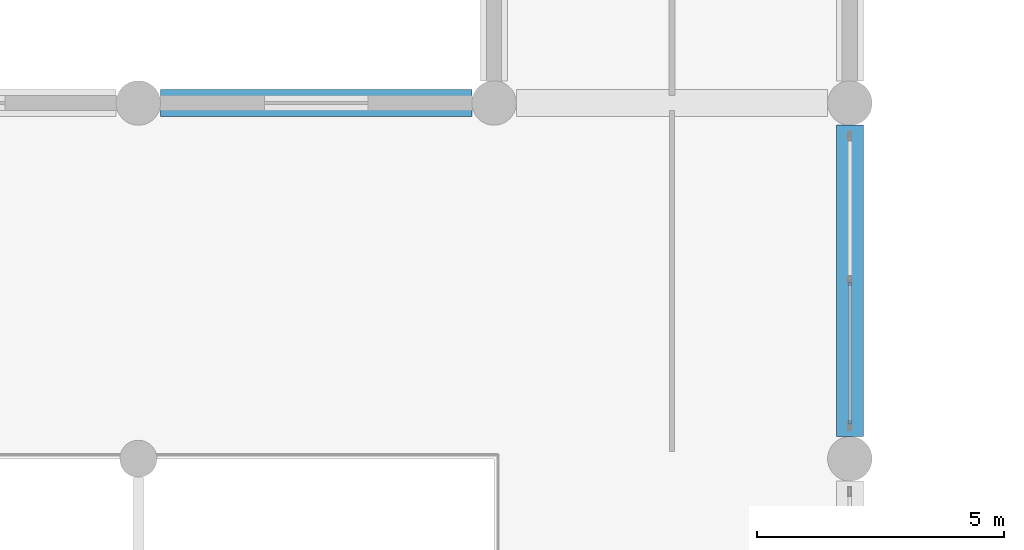
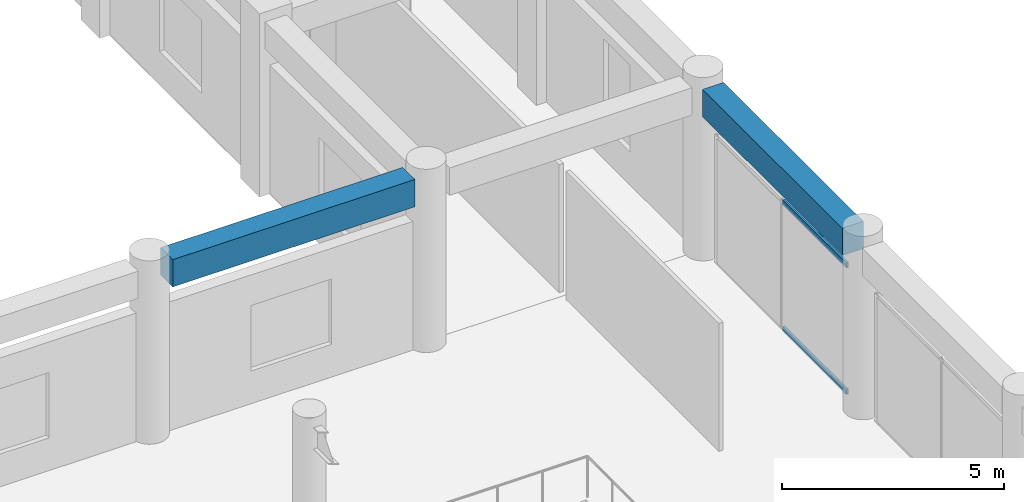
# One storey, part 24 of 54: 2 beams, 2 members, 1 element without a shape of its own.
"""IFC4 building model written with IfcOpenShell, lengths in metres."""

from ifc_helpers import new_model, si_unit, direction, frame, origin, origin_2d, place, context, subcontext, project, spatial, rectangle, hollow_rectangle, extrude, material, material_profile, profile_set, type_object, element, aggregate, save


model = new_model("IFC4")

# Units and contexts
model_context = context("Model", 3, precision=1e-05, world=origin(), true_north=direction((0.0, 1.0)))
body_context = subcontext(model_context, "Body", "Model", "MODEL_VIEW")
ifc_project = project(units=[si_unit("LENGTHUNIT", "METRE"), si_unit("AREAUNIT", "SQUARE_METRE"), si_unit("VOLUMEUNIT", "CUBIC_METRE"), si_unit("PLANEANGLEUNIT", "RADIAN"), si_unit("MASSUNIT", "GRAM", prefix="KILO")], contexts=[model_context])

# Site, building, storey
site_placement = place(None, origin())
site = spatial("IfcSite", under=ifc_project, at=site_placement, CompositionType="ELEMENT")
building_placement = place(site_placement, origin())
building = spatial("IfcBuilding", under=site, at=building_placement, Name="Kazehaya Institute of Natural Sciences", CompositionType="ELEMENT")
storey_placement = place(building_placement, frame((0.0, 0.0, 5.39990234375)))
storey = spatial("IfcBuildingStorey", under=building, at=storey_placement, Name="L01", CompositionType="ELEMENT", Elevation=5.39990234375)

# Beams
ifc_material_1 = material(Name="Concrete Fc36", Category="concrete")
ifc_material_profile_1 = material_profile(ifc_material_1, rectangle(XDim=0.550048828125, YDim=0.75, at=origin_2d()), Name="RC-550x750")
ifc_profile_set_1 = profile_set([ifc_material_profile_1], Name="Concrete Fc36")
beam_type = type_object("IfcBeamType", Name="BM-G-550x750", PredefinedType="BEAM", material=ifc_profile_set_1)
for number, where, z_axis, x_axis, name in (
    (1, (98.25, 64.39990234375, 4.39501953125), (1.0, 0.0, 0.0), (0.0, 1.0, 0.0), "L01 primary X girder BMX-L01-978-644"),
    (2, (112.199951171875, 57.64990234375, 4.39501953125), (0.0, 1.0, 0.0), (-1.0, 0.0, 0.0), "L01 primary Y girder BMY-L01-1122-572"),
):
    element("IfcBeam", number, at=place(storey_placement, frame(where, z_axis=z_axis, x_axis=x_axis)), inside=storey, type_object=beam_type, Name=name, PredefinedType="BEAM", context=body_context, shape_type="SweptSolid", body=[
        extrude(rectangle(XDim=0.550048828125, YDim=0.75, at=origin_2d()), origin(), (0.0, 0.0, 1.0), 6.300048828125),
    ])

# Curtain wall, members
ifc_material_2 = material(Name="Aluminium alloy A6063S-T5", Category="aluminium")
curtain_wall_type = type_object("IfcCurtainWallType", Name="CW-SYS-02", PredefinedType="NOTDEFINED", material=ifc_material_2)
curtain_wall_placement = place(storey_placement, origin())
curtain_wall = element("IfcCurtainWall", 3, at=curtain_wall_placement, inside=storey, type_object=curtain_wall_type, Name="L01 unitised curtain wall CW-L01-022", PredefinedType="NOTDEFINED")
ifc_material_profile_2 = material_profile(ifc_material_2, hollow_rectangle(XDim=0.06005859375, YDim=0.139892578125, WallThickness=0.00341796875, at=origin_2d()), Name="ALU-60x140x3.5")
ifc_profile_set_2 = profile_set([ifc_material_profile_2], Name="Aluminium alloy A6063S-T5")
member_type = type_object("IfcMemberType", Name="CWT-140", PredefinedType="USERDEFINED", material=ifc_profile_set_2)
member_1_placement = place(storey_placement, frame((112.199951171875, 60.77001953125, 0.030029296875), z_axis=(0.0, -1.0, 0.0), x_axis=(1.0, 0.0, 0.0)))
member_1 = element("IfcMember", 4, at=member_1_placement, type_object=member_type, Name="CW02 transom 2.1", ObjectType="TRANSOM", PredefinedType="USERDEFINED", context=body_context, shape_type="SweptSolid", body=[
    extrude(hollow_rectangle(XDim=0.06005859375, YDim=0.139892578125, WallThickness=0.00341796875, at=origin_2d()), origin(), (0.0, 0.0, 1.0), 2.8701171875),
])
member_2_placement = place(storey_placement, frame((112.199951171875, 60.77001953125, 3.510009765625), z_axis=(0.0, -1.0, 0.0), x_axis=(1.0, 0.0, 0.0)))
member_2 = element("IfcMember", 5, at=member_2_placement, type_object=member_type, Name="CW02 transom 2.2", ObjectType="TRANSOM", PredefinedType="USERDEFINED", context=body_context, shape_type="SweptSolid", body=[
    extrude(hollow_rectangle(XDim=0.06005859375, YDim=0.139892578125, WallThickness=0.00341796875, at=origin_2d()), origin(), (0.0, 0.0, 1.0), 2.8701171875),
])
aggregate(curtain_wall, [member_1, member_2])

save(model, "model.ifc")
